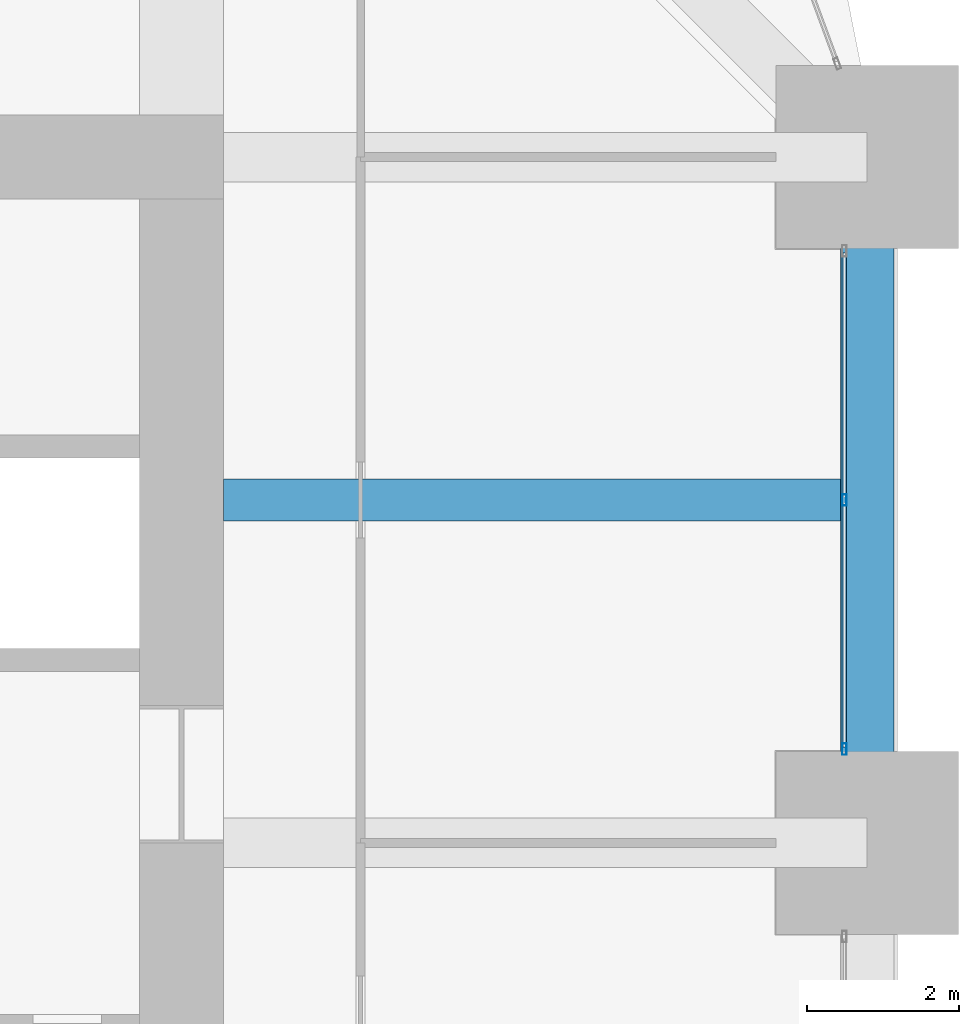
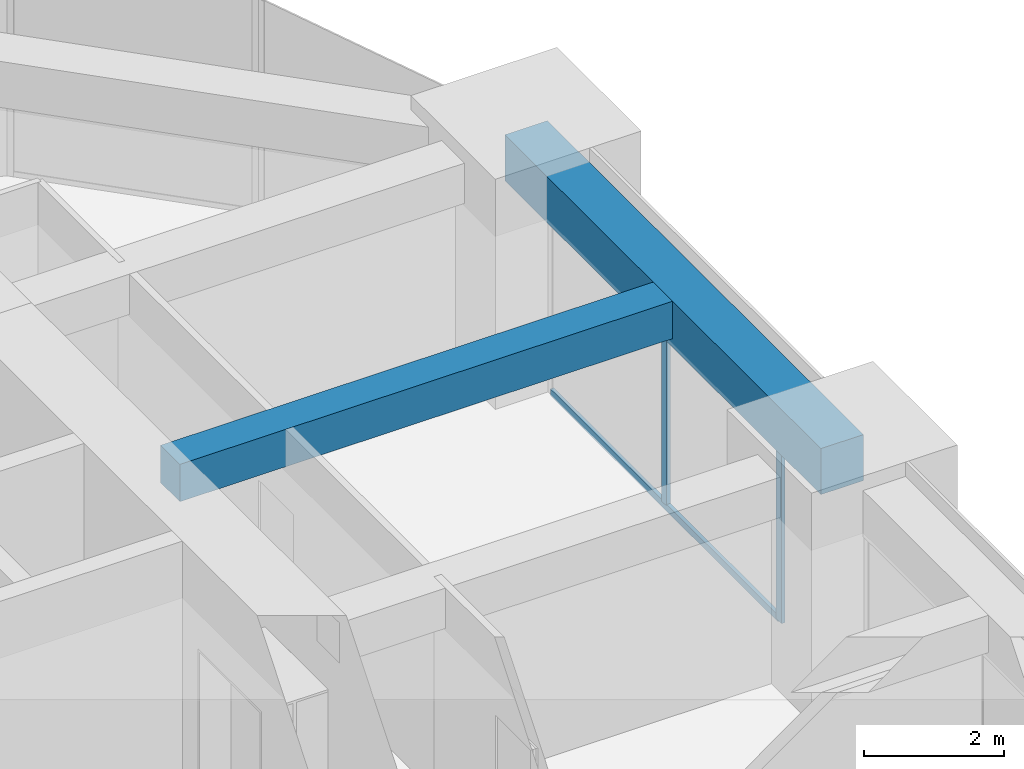
# One storey, part 19 of 32: 3 members, 2 beams, 1 element without a shape of its own.
"""IFC4 building model written with IfcOpenShell, lengths in metres."""

from ifc_helpers import new_model, si_unit, direction, frame, origin, origin_2d, place, context, subcontext, project, spatial, rectangle, hollow_rectangle, extrude, material, material_profile, profile_set, type_object, element, aggregate, save


model = new_model("IFC4")

# Units and contexts
model_context = context("Model", 3, precision=1e-05, world=origin(), true_north=direction((0.0, 1.0)))
body_context = subcontext(model_context, "Body", "Model", "MODEL_VIEW")
ifc_project = project(units=[si_unit("LENGTHUNIT", "METRE"), si_unit("AREAUNIT", "SQUARE_METRE"), si_unit("VOLUMEUNIT", "CUBIC_METRE"), si_unit("PLANEANGLEUNIT", "RADIAN"), si_unit("MASSUNIT", "GRAM", prefix="KILO")], contexts=[model_context])

# Site, building, storey
site_placement = place(None, origin())
site = spatial("IfcSite", under=ifc_project, at=site_placement, CompositionType="ELEMENT")
building_placement = place(site_placement, origin())
building = spatial("IfcBuilding", under=site, at=building_placement, Name="Zorevar Civic Tower", CompositionType="ELEMENT")
storey_placement = place(building_placement, frame((0.0, 0.0, 190.199951171875)))
storey = spatial("IfcBuildingStorey", under=building, at=storey_placement, Name="L46", CompositionType="ELEMENT", Elevation=190.199951171875)

# Beam
ifc_material_1 = material(Name="Concrete C50/60", Category="concrete")
ifc_material_profile_1 = material_profile(ifc_material_1, rectangle(XDim=0.550048828125, YDim=0.64990234375, at=origin_2d()), Name="RC 550x650")
ifc_profile_set_1 = profile_set([ifc_material_profile_1], Name="Concrete C50/60")
beam_type_1 = type_object("IfcBeamType", Name="Beam RC 550x650", PredefinedType="BEAM", material=ifc_profile_set_1)
beam_1_placement = place(storey_placement, frame((45.550048828125, 31.5, 3.425048828125), z_axis=(1.0, 0.0, 0.0), x_axis=(0.0, 1.0, 0.0)))
element("IfcBeam", 1, at=beam_1_placement, inside=storey, type_object=beam_type_1, Name="Secondary beam L47", PredefinedType="BEAM", context=body_context, shape_type="SweptSolid", body=[
    extrude(rectangle(XDim=0.550048828125, YDim=0.64990234375, at=origin_2d()), origin(), (0.0, 0.0, 1.0), 8.099853515625),
])

# Curtain wall, members
ifc_material_2 = material(Name="Dark grey solar-control glass in black aluminium frame", Category="aluminium")
curtain_wall_type = type_object("IfcCurtainWallType", Name="Curtain wall CW4 high zone", PredefinedType="NOTDEFINED", material=ifc_material_2)
curtain_wall_placement = place(storey_placement, origin())
curtain_wall = element("IfcCurtainWall", 2, at=curtain_wall_placement, inside=storey, type_object=curtain_wall_type, Name="CW4 L46", PredefinedType="NOTDEFINED")
ifc_material_3 = material(Name="Aluminium, black anodised", Category="aluminium")
ifc_material_profile_2 = material_profile(ifc_material_3, hollow_rectangle(XDim=0.06005859375, YDim=0.14990234375, WallThickness=0.00390625, at=origin_2d()), Name="AL 150x60x4")
ifc_profile_set_2 = profile_set([ifc_material_profile_2], Name="Aluminium, black anodised")
member_type_1 = type_object("IfcMemberType", Name="CW4 mullion AL 150x60x4", PredefinedType="MULLION", material=ifc_profile_set_2)
member_1_placement = place(storey_placement, frame((53.699951171875, 28.22998046875, 0.0), z_axis=(0.0, 0.0, 1.0), x_axis=(-1.0, 0.0, 0.0)))
member_1 = element("IfcMember", 3, at=member_1_placement, type_object=member_type_1, Name="CW4 mullion 1", PredefinedType="MULLION", context=body_context, shape_type="SweptSolid", body=[
    extrude(hollow_rectangle(XDim=0.06005859375, YDim=0.14990234375, WallThickness=0.00390625, at=origin_2d()), origin(), (0.0, 0.0, 1.0), 2.949951171875),
])
member_2_placement = place(storey_placement, frame((53.699951171875, 31.5, 0.06005859375), z_axis=(0.0, 0.0, 1.0), x_axis=(-1.0, 0.0, 0.0)))
member_2 = element("IfcMember", 4, at=member_2_placement, type_object=member_type_1, Name="CW4 mullion 2", PredefinedType="MULLION", context=body_context, shape_type="SweptSolid", body=[
    extrude(hollow_rectangle(XDim=0.06005859375, YDim=0.14990234375, WallThickness=0.00390625, at=origin_2d()), origin(), (0.0, 0.0, 1.0), 2.889892578125),
])
ifc_material_4 = material(Name="Aluminium, black anodised", Category="aluminium")
ifc_material_profile_3 = material_profile(ifc_material_4, hollow_rectangle(XDim=0.06005859375, YDim=0.1201171875, WallThickness=0.0029296875, at=origin_2d()), Name="AL 120x60x3")
ifc_profile_set_3 = profile_set([ifc_material_profile_3], Name="Aluminium, black anodised")
member_type_2 = type_object("IfcMemberType", Name="CW4 transom AL 120x60x3", PredefinedType="USERDEFINED", material=ifc_profile_set_3)
member_3_placement = place(storey_placement, frame((53.699951171875, 28.260009765625, 0.030029296875), z_axis=(0.0, 1.0, 0.0), x_axis=(-1.0, 0.0, 0.0)))
member_3 = element("IfcMember", 5, at=member_3_placement, type_object=member_type_2, Name="CW4 sill transom", ObjectType="TRANSOM", PredefinedType="USERDEFINED", context=body_context, shape_type="SweptSolid", body=[
    extrude(hollow_rectangle(XDim=0.06005859375, YDim=0.1201171875, WallThickness=0.0029296875, at=origin_2d()), origin(), (0.0, 0.0, 1.0), 6.47998046875),
])
aggregate(curtain_wall, [member_1, member_2, member_3])

# Beam
ifc_material_5 = material(Name="Concrete C50/60", Category="concrete")
ifc_material_profile_4 = material_profile(ifc_material_5, rectangle(XDim=0.699951171875, YDim=0.800048828125, at=origin_2d()), Name="RC 700x800")
ifc_profile_set_4 = profile_set([ifc_material_profile_4], Name="Concrete C50/60")
beam_type_2 = type_object("IfcBeamType", Name="Edge beam RC 700x800", PredefinedType="SPANDREL", material=ifc_profile_set_4)
beam_2_placement = place(storey_placement, frame((54.0, 27.0, 3.35009765625), z_axis=(0.0, 1.0, 0.0), x_axis=(-1.0, 0.0, 0.0)))
element("IfcBeam", 6, at=beam_2_placement, inside=storey, type_object=beam_type_2, Name="Edge beam L47", PredefinedType="SPANDREL", context=body_context, shape_type="SweptSolid", body=[
    extrude(rectangle(XDim=0.699951171875, YDim=0.800048828125, at=origin_2d()), origin(), (0.0, 0.0, 1.0), 9.0),
])

save(model, "model.ifc")
